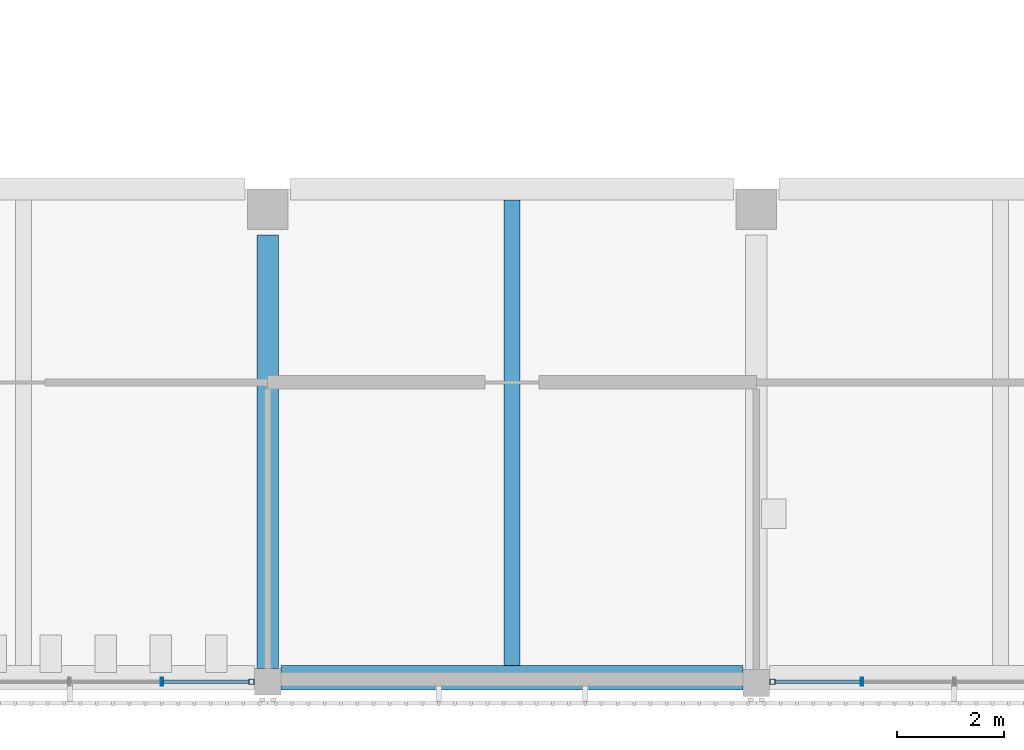
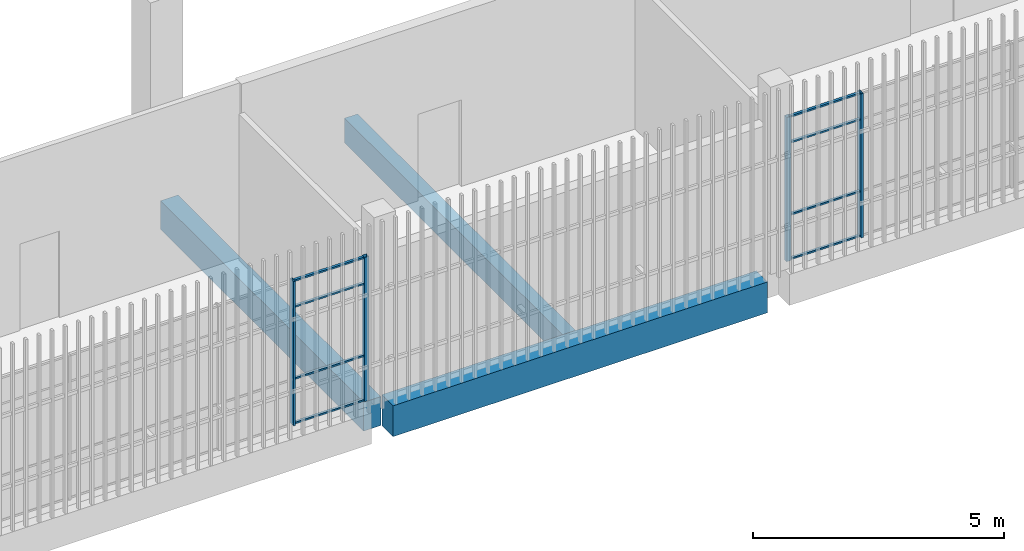
# One storey, part 24 of 124: 12 members, 3 beams, 2 elements without a shape of their own.
"""IFC4 building model written with IfcOpenShell, lengths in metres."""

from ifc_helpers import new_model, si_unit, direction, frame, origin, origin_2d, place, context, subcontext, project, spatial, rectangle, hollow_rectangle, extrude, material, layer, layer_set, material_profile, profile_set, type_object, element, aggregate, save


model = new_model("IFC4")

# Units and contexts
model_context = context("Model", 3, precision=1e-05, world=origin(), true_north=direction((0.0, 1.0)))
body_context = subcontext(model_context, "Body", "Model", "MODEL_VIEW")
ifc_project = project(units=[si_unit("LENGTHUNIT", "METRE"), si_unit("AREAUNIT", "SQUARE_METRE"), si_unit("VOLUMEUNIT", "CUBIC_METRE"), si_unit("PLANEANGLEUNIT", "RADIAN"), si_unit("MASSUNIT", "GRAM", prefix="KILO")], contexts=[model_context])

# Site, building, storey
site_placement = place(None, origin())
site = spatial("IfcSite", under=ifc_project, at=site_placement, CompositionType="ELEMENT")
building_placement = place(site_placement, origin())
building = spatial("IfcBuilding", under=site, at=building_placement, Name="Shirokan Park Arena", CompositionType="ELEMENT")
storey_placement = place(building_placement, frame((0.0, 0.0, 20.02001953125)))
storey = spatial("IfcBuildingStorey", under=building, at=storey_placement, Name="L04", CompositionType="ELEMENT", Elevation=20.02001953125)

# Curtain wall, member
ifc_material_1 = material(Name="Steel and glass curtain wall", Category="steel")
ifc_layer = layer(ifc_material_1, 0.14990234375)
ifc_layer_set = layer_set([ifc_layer], Name="Steel and glass curtain wall 150 mm")
curtain_wall_type = type_object("IfcCurtainWallType", Name="Curtain wall exposed bay 150", PredefinedType="NOTDEFINED", material=ifc_layer_set)
curtain_wall_1_placement = place(storey_placement, origin())
curtain_wall_1 = element("IfcCurtainWall", 1, at=curtain_wall_1_placement, inside=storey, type_object=curtain_wall_type, Name="Curtain wall south bay 9 L04", PredefinedType="NOTDEFINED")
ifc_material_2 = material(Name="Steel S355", Category="steel")
ifc_material_profile_1 = material_profile(ifc_material_2, hollow_rectangle(XDim=0.10009765625, YDim=0.10009765625, WallThickness=0.006103515625, at=origin_2d()), Name="RHS 100x100x6")
ifc_profile_set_1 = profile_set([ifc_material_profile_1], Name="Steel S355")
member_type_1 = type_object("IfcMemberType", Name="Mullion RHS 100x100x6", PredefinedType="MULLION", material=ifc_profile_set_1)
member_1_placement = place(storey_placement, frame((81.60009765625, -0.074951171875, 0.0), z_axis=(0.0, 0.0, 1.0), x_axis=(0.0, 1.0, 0.0)))
member_1 = element("IfcMember", 2, at=member_1_placement, type_object=member_type_1, Name="CW1 mullion 6", PredefinedType="MULLION", context=body_context, shape_type="SweptSolid", body=[
    extrude(hollow_rectangle(XDim=0.10009765625, YDim=0.10009765625, WallThickness=0.006103515625, at=origin_2d()), origin(), (0.0, 0.0, 1.0), 3.5),
])

curtain_wall_2_placement = place(storey_placement, origin())
curtain_wall_2 = element("IfcCurtainWall", 3, at=curtain_wall_2_placement, inside=storey, type_object=curtain_wall_type, Name="Curtain wall south bay 11 L04", PredefinedType="NOTDEFINED")
member_2_placement = place(storey_placement, frame((91.300048828125, -0.074951171875, 0.0), z_axis=(0.0, 0.0, 1.0), x_axis=(0.0, 1.0, 0.0)))
member_2 = element("IfcMember", 4, at=member_2_placement, type_object=member_type_1, Name="CW1 mullion 1", PredefinedType="MULLION", context=body_context, shape_type="SweptSolid", body=[
    extrude(hollow_rectangle(XDim=0.10009765625, YDim=0.10009765625, WallThickness=0.006103515625, at=origin_2d()), origin(), (0.0, 0.0, 1.0), 3.5),
])

# Member
ifc_material_profile_2 = material_profile(ifc_material_2, hollow_rectangle(XDim=0.14990234375, YDim=0.050048828125, WallThickness=0.006103515625, at=origin_2d()), Name="RHS 150x50x6")
ifc_profile_set_2 = profile_set([ifc_material_profile_2], Name="Steel S355")
member_type_2 = type_object("IfcMemberType", Name="Mullion RHS 150x50x6", PredefinedType="MULLION", material=ifc_profile_set_2)
member_3_placement = place(storey_placement, frame((79.929931640625, -0.074951171875, 0.0), z_axis=(0.0, 0.0, 1.0), x_axis=(0.0, 1.0, 0.0)))
member_3 = element("IfcMember", 5, at=member_3_placement, type_object=member_type_2, Name="CW1 mullion 5", PredefinedType="MULLION", context=body_context, shape_type="SweptSolid", body=[
    extrude(hollow_rectangle(XDim=0.14990234375, YDim=0.050048828125, WallThickness=0.006103515625, at=origin_2d()), origin(), (0.0, 0.0, 1.0), 3.5),
])

member_4_placement = place(storey_placement, frame((92.969970703125, -0.074951171875, 0.0), z_axis=(0.0, 0.0, 1.0), x_axis=(0.0, 1.0, 0.0)))
member_4 = element("IfcMember", 6, at=member_4_placement, type_object=member_type_2, Name="CW1 mullion 2", PredefinedType="MULLION", context=body_context, shape_type="SweptSolid", body=[
    extrude(hollow_rectangle(XDim=0.14990234375, YDim=0.050048828125, WallThickness=0.006103515625, at=origin_2d()), origin(), (0.0, 0.0, 1.0), 3.5),
])

# Beams
ifc_material_3 = material(Name="Concrete C35", Category="concrete")
ifc_material_profile_3 = material_profile(ifc_material_3, rectangle(XDim=0.39990234375, YDim=0.699951171875, at=origin_2d()), Name="400x700")
ifc_profile_set_3 = profile_set([ifc_material_profile_3], Name="Concrete C35")
beam_type_1 = type_object("IfcBeamType", Name="RC girder 400x700", PredefinedType="BEAM", material=ifc_profile_set_3)
beam_1_placement = place(storey_placement, frame((81.89990234375, 0.175048828125, -0.60009765625), z_axis=(0.0, 1.0, 0.0), x_axis=(-1.0, 0.0, 0.0)))
element("IfcBeam", 7, at=beam_1_placement, inside=storey, type_object=beam_type_1, Name="Girder 10A-10B L04", PredefinedType="BEAM", context=body_context, shape_type="SweptSolid", body=[
    extrude(rectangle(XDim=0.39990234375, YDim=0.699951171875, at=origin_2d()), origin(), (0.0, 0.0, 1.0), 8.074951171875),
])
ifc_material_profile_4 = material_profile(ifc_material_3, rectangle(XDim=0.449951171875, YDim=0.75, at=origin_2d()), Name="450x750")
ifc_profile_set_4 = profile_set([ifc_material_profile_4], Name="Concrete C35")
beam_type_2 = type_object("IfcBeamType", Name="RC girder 450x750", PredefinedType="BEAM", material=ifc_profile_set_4)
beam_2_placement = place(storey_placement, frame((82.150146484375, 0.0, -0.625), z_axis=(1.0, 0.0, 0.0), x_axis=(0.0, 1.0, 0.0)))
element("IfcBeam", 8, at=beam_2_placement, inside=storey, type_object=beam_type_2, Name="Girder 10A-11A L04", PredefinedType="BEAM", context=body_context, shape_type="SweptSolid", body=[
    extrude(rectangle(XDim=0.449951171875, YDim=0.75, at=origin_2d()), origin(), (0.0, 0.0, 1.0), 8.599853515625),
])
ifc_material_profile_5 = material_profile(ifc_material_3, rectangle(XDim=0.300048828125, YDim=0.60009765625, at=origin_2d()), Name="300x600")
ifc_profile_set_5 = profile_set([ifc_material_profile_5], Name="Concrete C35")
beam_type_3 = type_object("IfcBeamType", Name="RC joist 300x600", PredefinedType="JOIST", material=ifc_profile_set_5)
beam_3_placement = place(storey_placement, frame((86.449951171875, 0.22509765625, -0.550048828125), z_axis=(0.0, 1.0, 0.0), x_axis=(-1.0, 0.0, 0.0)))
element("IfcBeam", 9, at=beam_3_placement, inside=storey, type_object=beam_type_3, Name="Joist 10A L04", PredefinedType="JOIST", context=body_context, shape_type="SweptSolid", body=[
    extrude(rectangle(XDim=0.300048828125, YDim=0.60009765625, at=origin_2d()), origin(), (0.0, 0.0, 1.0), 8.6748046875),
])

# Member
ifc_material_profile_6 = material_profile(ifc_material_2, hollow_rectangle(XDim=0.06005859375, YDim=0.0400390625, WallThickness=0.00390625, at=origin_2d()), Name="RHS 60x40x4")
ifc_profile_set_6 = profile_set([ifc_material_profile_6], Name="Steel S355")
member_type_3 = type_object("IfcMemberType", Name="Transom RHS 60x40x4", PredefinedType="MULLION", material=ifc_profile_set_6)
member_5_placement = place(storey_placement, frame((79.955078125, -0.074951171875, 0.02001953125), z_axis=(1.0, 0.0, 0.0), x_axis=(0.0, 1.0, 0.0)))
member_5 = element("IfcMember", 10, at=member_5_placement, type_object=member_type_3, Name="CW1 transom 5.1", PredefinedType="MULLION", context=body_context, shape_type="SweptSolid", body=[
    extrude(hollow_rectangle(XDim=0.06005859375, YDim=0.0400390625, WallThickness=0.00390625, at=origin_2d()), origin(), (0.0, 0.0, 1.0), 1.594970703125),
])

member_6_placement = place(storey_placement, frame((79.955078125, -0.074951171875, 1.10009765625), z_axis=(1.0, 0.0, 0.0), x_axis=(0.0, 1.0, 0.0)))
member_6 = element("IfcMember", 11, at=member_6_placement, type_object=member_type_3, Name="CW1 transom 5.2", PredefinedType="MULLION", context=body_context, shape_type="SweptSolid", body=[
    extrude(hollow_rectangle(XDim=0.06005859375, YDim=0.0400390625, WallThickness=0.00390625, at=origin_2d()), origin(), (0.0, 0.0, 1.0), 1.594970703125),
])

member_7_placement = place(storey_placement, frame((79.955078125, -0.074951171875, 2.85009765625), z_axis=(1.0, 0.0, 0.0), x_axis=(0.0, 1.0, 0.0)))
member_7 = element("IfcMember", 12, at=member_7_placement, type_object=member_type_3, Name="CW1 transom 5.3", PredefinedType="MULLION", context=body_context, shape_type="SweptSolid", body=[
    extrude(hollow_rectangle(XDim=0.06005859375, YDim=0.0400390625, WallThickness=0.00390625, at=origin_2d()), origin(), (0.0, 0.0, 1.0), 1.594970703125),
])

member_8_placement = place(storey_placement, frame((79.955078125, -0.074951171875, 3.47998046875), z_axis=(1.0, 0.0, 0.0), x_axis=(0.0, 1.0, 0.0)))
member_8 = element("IfcMember", 13, at=member_8_placement, type_object=member_type_3, Name="CW1 transom 5.4", PredefinedType="MULLION", context=body_context, shape_type="SweptSolid", body=[
    extrude(hollow_rectangle(XDim=0.06005859375, YDim=0.0400390625, WallThickness=0.00390625, at=origin_2d()), origin(), (0.0, 0.0, 1.0), 1.594970703125),
])

aggregate(curtain_wall_1, [member_3, member_1, member_5, member_6, member_7, member_8])

member_9_placement = place(storey_placement, frame((91.35009765625, -0.074951171875, 0.02001953125), z_axis=(1.0, 0.0, 0.0), x_axis=(0.0, 1.0, 0.0)))
member_9 = element("IfcMember", 14, at=member_9_placement, type_object=member_type_3, Name="CW1 transom 1.1", PredefinedType="MULLION", context=body_context, shape_type="SweptSolid", body=[
    extrude(hollow_rectangle(XDim=0.06005859375, YDim=0.0400390625, WallThickness=0.00390625, at=origin_2d()), origin(), (0.0, 0.0, 1.0), 1.594970703125),
])

member_10_placement = place(storey_placement, frame((91.35009765625, -0.074951171875, 1.10009765625), z_axis=(1.0, 0.0, 0.0), x_axis=(0.0, 1.0, 0.0)))
member_10 = element("IfcMember", 15, at=member_10_placement, type_object=member_type_3, Name="CW1 transom 1.2", PredefinedType="MULLION", context=body_context, shape_type="SweptSolid", body=[
    extrude(hollow_rectangle(XDim=0.06005859375, YDim=0.0400390625, WallThickness=0.00390625, at=origin_2d()), origin(), (0.0, 0.0, 1.0), 1.594970703125),
])

member_11_placement = place(storey_placement, frame((91.35009765625, -0.074951171875, 2.85009765625), z_axis=(1.0, 0.0, 0.0), x_axis=(0.0, 1.0, 0.0)))
member_11 = element("IfcMember", 16, at=member_11_placement, type_object=member_type_3, Name="CW1 transom 1.3", PredefinedType="MULLION", context=body_context, shape_type="SweptSolid", body=[
    extrude(hollow_rectangle(XDim=0.06005859375, YDim=0.0400390625, WallThickness=0.00390625, at=origin_2d()), origin(), (0.0, 0.0, 1.0), 1.594970703125),
])

member_12_placement = place(storey_placement, frame((91.35009765625, -0.074951171875, 3.47998046875), z_axis=(1.0, 0.0, 0.0), x_axis=(0.0, 1.0, 0.0)))
member_12 = element("IfcMember", 17, at=member_12_placement, type_object=member_type_3, Name="CW1 transom 1.4", PredefinedType="MULLION", context=body_context, shape_type="SweptSolid", body=[
    extrude(hollow_rectangle(XDim=0.06005859375, YDim=0.0400390625, WallThickness=0.00390625, at=origin_2d()), origin(), (0.0, 0.0, 1.0), 1.594970703125),
])

aggregate(curtain_wall_2, [member_2, member_4, member_9, member_10, member_11, member_12])

save(model, "model.ifc")
